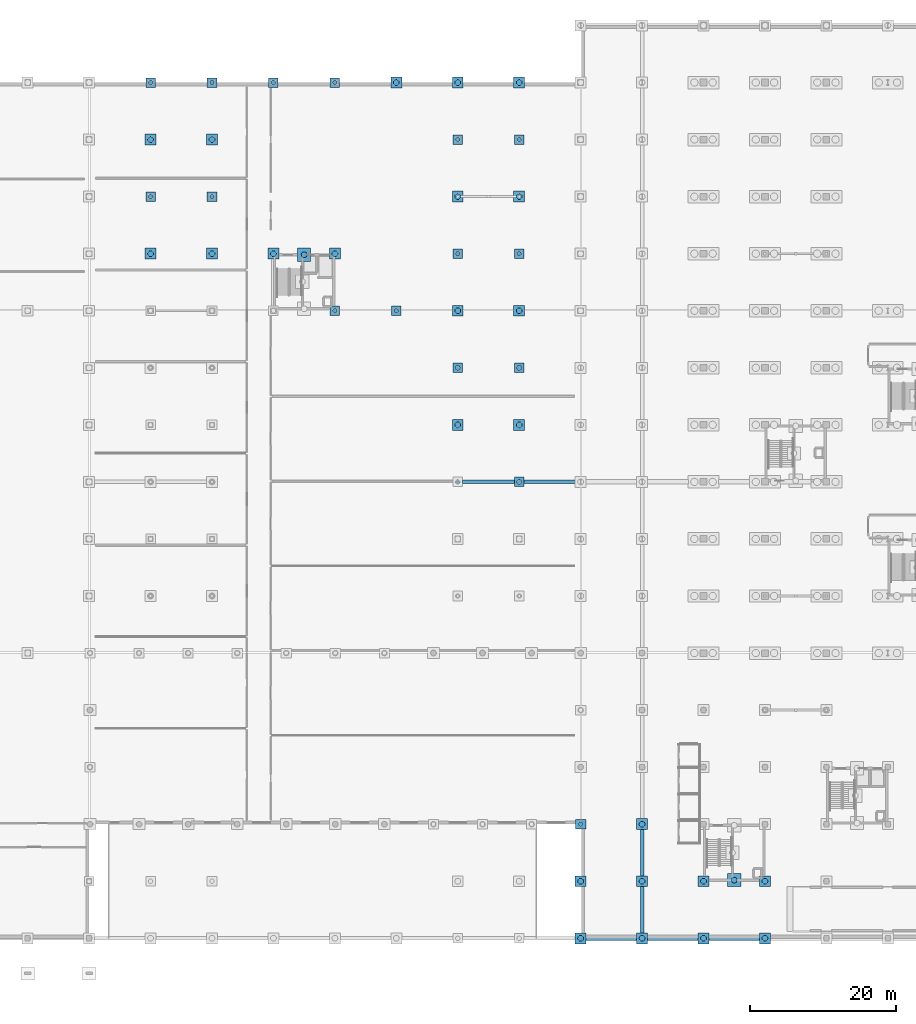
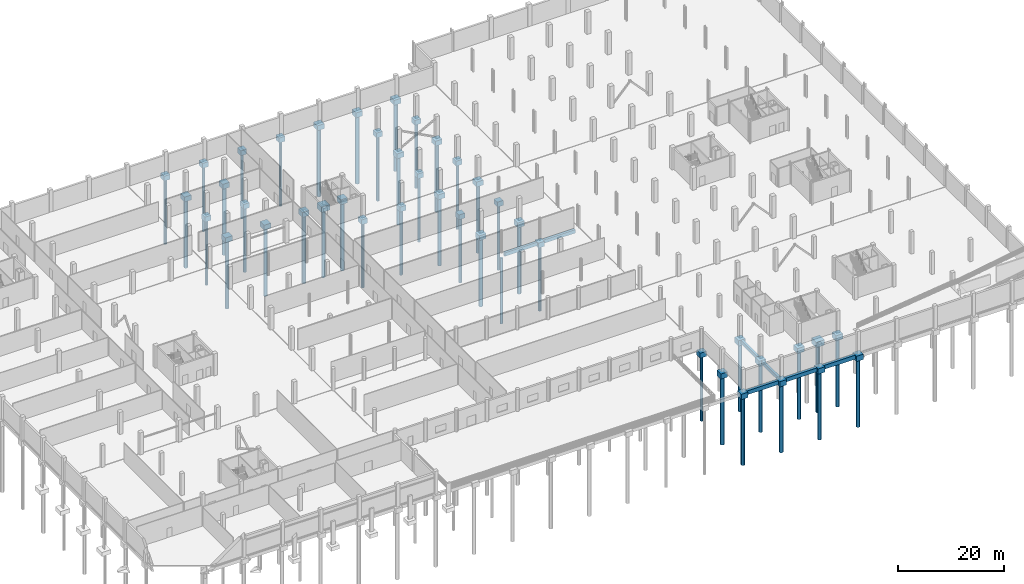
# One storey, part 5 of 48: 49 footings, 43 piles.
"""IFC4 building model written with IfcOpenShell, lengths in metres."""

from ifc_helpers import new_model, si_unit, direction, frame, origin, origin_2d, place, context, subcontext, project, spatial, polyline, rectangle, circle, outline, extrude, material, material_profile, profile_set, type_object, element, save


model = new_model("IFC4")

# Units and contexts
model_context = context("Model", 3, precision=1e-05, world=origin(), true_north=direction((0.0, 1.0)))
body_context = subcontext(model_context, "Body", "Model", "MODEL_VIEW")
ifc_project = project(units=[si_unit("LENGTHUNIT", "METRE"), si_unit("AREAUNIT", "SQUARE_METRE"), si_unit("VOLUMEUNIT", "CUBIC_METRE"), si_unit("PLANEANGLEUNIT", "RADIAN"), si_unit("MASSUNIT", "GRAM", prefix="KILO")], contexts=[model_context])

# Site, building, storey
site_placement = place(None, origin())
site = spatial("IfcSite", under=ifc_project, at=site_placement, CompositionType="ELEMENT")
building_placement = place(site_placement, origin())
building = spatial("IfcBuilding", under=site, at=building_placement, Name="Nabrawat Pavilion Hospital", CompositionType="ELEMENT")
storey_placement = place(building_placement, frame((0.0, 0.0, -5.10009765625)))
storey = spatial("IfcBuildingStorey", under=building, at=storey_placement, Name="B1", CompositionType="ELEMENT", Elevation=-5.10009765625)

# Piles
ifc_material = material(Name="Concrete C35/45", Category="concrete")
ifc_material_profile_1 = material_profile(ifc_material, circle(Radius=0.300048828125, at=origin_2d()), Name="DIA 600")
ifc_profile_set_1 = profile_set([ifc_material_profile_1], Name="Concrete C35/45")
pile_type_1 = type_object("IfcPileType", Name="Bored Concrete Pile D600", PredefinedType="BORED", material=ifc_profile_set_1)
for number, where, z_axis, x_axis, name in (
    (1, (67.199951171875, 101.39990234375, -1.27001953125), (0.0, 0.0, -1.0), (1.0, 0.0, 0.0), "Bored Pile P-600 0098"),
    (2, (67.199951171875, 117.0, -1.27001953125), (0.0, 0.0, -1.0), (1.0, 0.0, 0.0), "Bored Pile P-600 0100"),
    (3, (75.60009765625, 101.39990234375, -1.27001953125), (0.0, 0.0, -1.0), (1.0, 0.0, 0.0), "Bored Pile P-600 0112"),
    (4, (75.60009765625, 117.0, -1.27001953125), (0.0, 0.0, -1.0), (1.0, 0.0, 0.0), "Bored Pile P-600 0114"),
    (5, (84.0, 117.0, -1.27001953125), (0.0, 0.0, -1.0), (1.0, 0.0, 0.0), "Bored Pile P-600 0120"),
    (6, (92.39990234375, 85.800048828125, -1.27001953125), (0.0, 0.0, -1.0), (1.0, 0.0, 0.0), "Bored Pile P-600 0124"),
    (7, (92.39990234375, 117.0, -1.27001953125), (0.0, 0.0, -1.0), (1.0, 0.0, 0.0), "Bored Pile P-600 0126"),
    (8, (100.800048828125, 85.800048828125, -1.27001953125), (0.0, 0.0, -1.0), (1.0, 0.0, 0.0), "Bored Pile P-600 0132"),
    (9, (109.199951171875, 62.39990234375, -1.27001953125), (0.0, 0.0, -1.0), (1.0, 0.0, 0.0), "Bored Pile P-600 0140"),
    (10, (109.199951171875, 78.0, -1.27001953125), (0.0, 0.0, -1.0), (1.0, 0.0, 0.0), "Bored Pile P-600 0142"),
    (11, (109.199951171875, 93.60009765625, -1.27001953125), (0.0, 0.0, -1.0), (1.0, 0.0, 0.0), "Bored Pile P-600 0144"),
    (12, (109.199951171875, 109.199951171875, -1.27001953125), (0.0, 0.0, -1.0), (1.0, 0.0, 0.0), "Bored Pile P-600 0146"),
    (13, (117.60009765625, 62.39990234375, -1.27001953125), (0.0, 0.0, -1.0), (1.0, 0.0, 0.0), "Bored Pile P-600 0154"),
    (14, (117.60009765625, 78.0, -1.27001953125), (0.0, 0.0, -1.0), (1.0, 0.0, 0.0), "Bored Pile P-600 0156"),
    (15, (117.60009765625, 93.60009765625, -1.27001953125), (0.0, 0.0, -1.0), (1.0, 0.0, 0.0), "Bored Pile P-600 0158"),
    (16, (117.60009765625, 109.199951171875, -1.27001953125), (0.0, 0.0, -1.0), (1.0, 0.0, 0.0), "Bored Pile P-600 0160"),
):
    element("IfcPile", number, at=place(storey_placement, frame(where, z_axis=z_axis, x_axis=x_axis)), inside=storey, type_object=pile_type_1, Name=name, PredefinedType="BORED", context=body_context, shape_type="SweptSolid", body=[
        extrude(circle(Radius=0.300048828125, at=origin_2d()), origin(), (0.0, 0.0, 1.0), 15.1298828125),
    ])
pile_placement = place(storey_placement, frame((126.0, 15.60009765625, -1.2998046875), z_axis=(0.0, 0.0, -1.0), x_axis=(1.0, 0.0, 0.0)))
element("IfcPile", 17, at=pile_placement, inside=storey, type_object=pile_type_1, Name="Bored Pile P-600 0166", PredefinedType="BORED", context=body_context, shape_type="SweptSolid", body=[
    extrude(circle(Radius=0.300048828125, at=origin_2d()), origin(), (0.0, 0.0, 1.0), 15.10009765625),
])
ifc_material_profile_2 = material_profile(ifc_material, circle(Radius=0.39990234375, at=origin_2d()), Name="DIA 800")
ifc_profile_set_2 = profile_set([ifc_material_profile_2], Name="Concrete C35/45")
pile_type_2 = type_object("IfcPileType", Name="Bored Concrete Pile D800", PredefinedType="BORED", material=ifc_profile_set_2)
for number, where, z_axis, x_axis, name in (
    (18, (67.199951171875, 93.60009765625, -1.27001953125), (0.0, 0.0, -1.0), (1.0, 0.0, 0.0), "Bored Pile P-800 0097"),
    (19, (67.199951171875, 109.199951171875, -1.27001953125), (0.0, 0.0, -1.0), (1.0, 0.0, 0.0), "Bored Pile P-800 0099"),
    (20, (75.60009765625, 93.60009765625, -1.27001953125), (0.0, 0.0, -1.0), (1.0, 0.0, 0.0), "Bored Pile P-800 0111"),
    (21, (75.60009765625, 109.199951171875, -1.27001953125), (0.0, 0.0, -1.0), (1.0, 0.0, 0.0), "Bored Pile P-800 0113"),
    (22, (84.0, 93.60009765625, -1.27001953125), (0.0, 0.0, -1.0), (1.0, 0.0, 0.0), "Bored Pile P-800 0119"),
    (23, (92.39990234375, 93.60009765625, -1.27001953125), (0.0, 0.0, -1.0), (1.0, 0.0, 0.0), "Bored Pile P-800 0125"),
    (24, (100.800048828125, 117.0, -1.27001953125), (0.0, 0.0, -1.0), (1.0, 0.0, 0.0), "Bored Pile P-800 0133"),
    (25, (109.199951171875, 70.199951171875, -1.27001953125), (0.0, 0.0, -1.0), (1.0, 0.0, 0.0), "Bored Pile P-800 0141"),
    (26, (109.199951171875, 85.800048828125, -1.27001953125), (0.0, 0.0, -1.0), (1.0, 0.0, 0.0), "Bored Pile P-800 0143"),
    (27, (109.199951171875, 101.39990234375, -1.27001953125), (0.0, 0.0, -1.0), (1.0, 0.0, 0.0), "Bored Pile P-800 0145"),
    (28, (109.199951171875, 117.0, -1.27001953125), (0.0, 0.0, -1.0), (1.0, 0.0, 0.0), "Bored Pile P-800 0147"),
    (29, (117.60009765625, 70.199951171875, -1.27001953125), (0.0, 0.0, -1.0), (1.0, 0.0, 0.0), "Bored Pile P-800 0155"),
    (30, (117.60009765625, 85.800048828125, -1.27001953125), (0.0, 0.0, -1.0), (1.0, 0.0, 0.0), "Bored Pile P-800 0157"),
    (31, (117.60009765625, 101.39990234375, -1.27001953125), (0.0, 0.0, -1.0), (1.0, 0.0, 0.0), "Bored Pile P-800 0159"),
    (32, (117.60009765625, 117.0, -1.27001953125), (0.0, 0.0, -1.0), (1.0, 0.0, 0.0), "Bored Pile P-800 0161"),
):
    element("IfcPile", number, at=place(storey_placement, frame(where, z_axis=z_axis, x_axis=x_axis)), inside=storey, type_object=pile_type_2, Name=name, PredefinedType="BORED", context=body_context, shape_type="SweptSolid", body=[
        extrude(circle(Radius=0.39990234375, at=origin_2d()), origin(), (0.0, 0.0, 1.0), 15.830078125),
    ])
for number, where, z_axis, x_axis, name in (
    (33, (126.0, 0.0, -1.33984375), (0.0, 0.0, -1.0), (1.0, 0.0, 0.0), "Bored Pile P-800 0164"),
    (34, (126.0, 7.800048828125, -1.33984375), (0.0, 0.0, -1.0), (1.0, 0.0, 0.0), "Bored Pile P-800 0165"),
    (35, (134.39990234375, 0.0, -1.33984375), (0.0, 0.0, -1.0), (1.0, 0.0, 0.0), "Bored Pile P-800 0181"),
    (36, (134.39990234375, 7.800048828125, -1.33984375), (0.0, 0.0, -1.0), (1.0, 0.0, 0.0), "Bored Pile P-800 0182"),
    (37, (134.39990234375, 15.60009765625, -1.33984375), (0.0, 0.0, -1.0), (1.0, 0.0, 0.0), "Bored Pile P-800 0183"),
    (38, (142.800048828125, 0.0, -1.33984375), (0.0, 0.0, -1.0), (1.0, 0.0, 0.0), "Bored Pile P-800 0198"),
    (39, (142.800048828125, 7.800048828125, -1.33984375), (0.0, 0.0, -1.0), (1.0, 0.0, 0.0), "Bored Pile P-800 0199"),
    (40, (151.199951171875, 0.0, -1.33984375), (0.0, 0.0, -1.0), (1.0, 0.0, 0.0), "Bored Pile P-800 0226"),
    (41, (151.199951171875, 7.800048828125, -1.33984375), (0.0, 0.0, -1.0), (1.0, 0.0, 0.0), "Bored Pile P-800 0227"),
):
    element("IfcPile", number, at=place(storey_placement, frame(where, z_axis=z_axis, x_axis=x_axis)), inside=storey, type_object=pile_type_2, Name=name, PredefinedType="BORED", context=body_context, shape_type="SweptSolid", body=[
        extrude(circle(Radius=0.39990234375, at=origin_2d()), origin(), (0.0, 0.0, 1.0), 15.760009765625),
    ])
for number, where, z_axis, x_axis, name in (
    (42, (88.199951171875, 93.449951171875, -1.369873046875), (0.0, 0.0, -1.0), (1.0, 0.0, 0.0), "Bored Pile P-800 0382"),
    (43, (147.0, 7.949951171875, -1.369873046875), (0.0, 0.0, -1.0), (1.0, 0.0, 0.0), "Bored Pile P-800 0396"),
):
    element("IfcPile", number, at=place(storey_placement, frame(where, z_axis=z_axis, x_axis=x_axis)), inside=storey, type_object=pile_type_2, Name=name, PredefinedType="BORED", context=body_context, shape_type="SweptSolid", body=[
        extrude(circle(Radius=0.39990234375, at=origin_2d()), origin(), (0.0, 0.0, 1.0), 15.72998046875),
    ])

# Footings
ifc_material_profile_3 = material_profile(ifc_material, rectangle(XDim=0.5, YDim=0.800048828125, at=origin_2d()), Name="RC 500x800")
ifc_profile_set_3 = profile_set([ifc_material_profile_3], Name="Concrete C35/45")
footing_type_1 = type_object("IfcFootingType", Name="Concrete Ground Tie Beam 500x800", PredefinedType="FOOTING_BEAM", material=ifc_profile_set_3)
footing_1_placement = place(storey_placement, frame((109.830078125, 62.39990234375, -0.619873046875), z_axis=(1.0, 0.0, 0.0), x_axis=(0.0, 1.0, 0.0)))
element("IfcFooting", 44, at=footing_1_placement, inside=storey, type_object=footing_type_1, Name="B1 Ground Tie Beam X 027", PredefinedType="FOOTING_BEAM", context=body_context, shape_type="SweptSolid", body=[
    extrude(rectangle(XDim=0.5, YDim=0.800048828125, at=origin_2d()), origin(), (0.0, 0.0, 1.0), 7.139892578125),
])
footing_2_placement = place(storey_placement, frame((118.22998046875, 62.39990234375, -0.619873046875), z_axis=(1.0, 0.0, 0.0), x_axis=(0.0, 1.0, 0.0)))
element("IfcFooting", 45, at=footing_2_placement, inside=storey, type_object=footing_type_1, Name="B1 Ground Tie Beam X 028", PredefinedType="FOOTING_BEAM", context=body_context, shape_type="SweptSolid", body=[
    extrude(rectangle(XDim=0.5, YDim=0.800048828125, at=origin_2d()), origin(), (0.0, 0.0, 1.0), 7.0400390625),
])
for number, where, z_axis, x_axis, name in (
    (46, (134.39990234375, 0.72998046875, -0.619873046875), (0.0, 1.0, 0.0), (-1.0, 0.0, 0.0), "B1 Ground Tie Beam Y 059"),
    (47, (134.39990234375, 8.530029296875, -0.619873046875), (0.0, 1.0, 0.0), (-1.0, 0.0, 0.0), "B1 Ground Tie Beam Y 060"),
):
    element("IfcFooting", number, at=place(storey_placement, frame(where, z_axis=z_axis, x_axis=x_axis)), inside=storey, type_object=footing_type_1, Name=name, PredefinedType="FOOTING_BEAM", context=body_context, shape_type="SweptSolid", body=[
        extrude(rectangle(XDim=0.5, YDim=0.800048828125, at=origin_2d()), origin(), (0.0, 0.0, 1.0), 6.340087890625),
    ])
ifc_material_profile_4 = material_profile(ifc_material, rectangle(XDim=0.60009765625, YDim=0.89990234375, at=origin_2d()), Name="RC 600x900")
ifc_profile_set_4 = profile_set([ifc_material_profile_4], Name="Concrete C35/45")
footing_type_2 = type_object("IfcFootingType", Name="Concrete Ground Tie Beam 600x900", PredefinedType="FOOTING_BEAM", material=ifc_profile_set_4)
footing_3_placement = place(storey_placement, frame((126.72998046875, 0.0, -0.669921875), z_axis=(1.0, 0.0, 0.0), x_axis=(0.0, 1.0, 0.0)))
element("IfcFooting", 48, at=footing_3_placement, inside=storey, type_object=footing_type_2, Name="B1 Ground Tie Beam X 016", PredefinedType="FOOTING_BEAM", context=body_context, shape_type="SweptSolid", body=[
    extrude(rectangle(XDim=0.60009765625, YDim=0.89990234375, at=origin_2d()), origin(), (0.0, 0.0, 1.0), 6.93994140625),
])
footing_4_placement = place(storey_placement, frame((135.1298828125, 0.0, -0.669921875), z_axis=(1.0, 0.0, 0.0), x_axis=(0.0, 1.0, 0.0)))
element("IfcFooting", 49, at=footing_4_placement, inside=storey, type_object=footing_type_2, Name="B1 Ground Tie Beam X 017", PredefinedType="FOOTING_BEAM", context=body_context, shape_type="SweptSolid", body=[
    extrude(rectangle(XDim=0.60009765625, YDim=0.89990234375, at=origin_2d()), origin(), (0.0, 0.0, 1.0), 6.940185546875),
])
footing_5_placement = place(storey_placement, frame((143.530029296875, 0.0, -0.669921875), z_axis=(1.0, 0.0, 0.0), x_axis=(0.0, 1.0, 0.0)))
element("IfcFooting", 50, at=footing_5_placement, inside=storey, type_object=footing_type_2, Name="B1 Ground Tie Beam X 018", PredefinedType="FOOTING_BEAM", context=body_context, shape_type="SweptSolid", body=[
    extrude(rectangle(XDim=0.60009765625, YDim=0.89990234375, at=origin_2d()), origin(), (0.0, 0.0, 1.0), 6.93994140625),
])
footing_type_3 = type_object("IfcFootingType", Name="Reinforced Concrete Pile Cap 1300x1300x1150", PredefinedType="PILE_CAP", material=ifc_material)
footing_6_placement = place(storey_placement, frame((0.0, 0.0, -1.369873046875)))
element("IfcFooting", 51, at=footing_6_placement, inside=storey, type_object=footing_type_3, Name="B1 Combined Pile Cap CAP-098", PredefinedType="PILE_CAP", context=body_context, shape_type="SweptSolid", body=[
    extrude(outline(polyline([(67.85009765625, 100.75), (67.85009765625, 102.050048828125), (66.550048828125, 102.050048828125), (66.550048828125, 100.75), (67.85009765625, 100.75)])), origin(), (0.0, 0.0, 1.0), 1.14990234375),
])
footing_7_placement = place(storey_placement, frame((0.0, 0.0, -1.369873046875)))
element("IfcFooting", 52, at=footing_7_placement, inside=storey, type_object=footing_type_3, Name="B1 Combined Pile Cap CAP-100", PredefinedType="PILE_CAP", context=body_context, shape_type="SweptSolid", body=[
    extrude(outline(polyline([(67.85009765625, 116.35009765625), (67.85009765625, 117.64990234375), (66.550048828125, 117.64990234375), (66.550048828125, 116.35009765625), (67.85009765625, 116.35009765625)])), origin(), (0.0, 0.0, 1.0), 1.14990234375),
])
footing_8_placement = place(storey_placement, frame((0.0, 0.0, -1.369873046875)))
element("IfcFooting", 53, at=footing_8_placement, inside=storey, type_object=footing_type_3, Name="B1 Combined Pile Cap CAP-112", PredefinedType="PILE_CAP", context=body_context, shape_type="SweptSolid", body=[
    extrude(outline(polyline([(76.25, 100.75), (76.25, 102.050048828125), (74.949951171875, 102.050048828125), (74.949951171875, 100.75), (76.25, 100.75)])), origin(), (0.0, 0.0, 1.0), 1.14990234375),
])
footing_9_placement = place(storey_placement, frame((0.0, 0.0, -1.369873046875)))
element("IfcFooting", 54, at=footing_9_placement, inside=storey, type_object=footing_type_3, Name="B1 Combined Pile Cap CAP-114", PredefinedType="PILE_CAP", context=body_context, shape_type="SweptSolid", body=[
    extrude(outline(polyline([(76.25, 116.35009765625), (76.25, 117.64990234375), (74.949951171875, 117.64990234375), (74.949951171875, 116.35009765625), (76.25, 116.35009765625)])), origin(), (0.0, 0.0, 1.0), 1.14990234375),
])
footing_10_placement = place(storey_placement, frame((0.0, 0.0, -1.369873046875)))
element("IfcFooting", 55, at=footing_10_placement, inside=storey, type_object=footing_type_3, Name="B1 Combined Pile Cap CAP-120", PredefinedType="PILE_CAP", context=body_context, shape_type="SweptSolid", body=[
    extrude(outline(polyline([(84.64990234375, 116.35009765625), (84.64990234375, 117.64990234375), (83.35009765625, 117.64990234375), (83.35009765625, 116.35009765625), (84.64990234375, 116.35009765625)])), origin(), (0.0, 0.0, 1.0), 1.14990234375),
])
footing_11_placement = place(storey_placement, frame((0.0, 0.0, -1.369873046875)))
element("IfcFooting", 56, at=footing_11_placement, inside=storey, type_object=footing_type_3, Name="B1 Combined Pile Cap CAP-124", PredefinedType="PILE_CAP", context=body_context, shape_type="SweptSolid", body=[
    extrude(outline(polyline([(93.050048828125, 85.14990234375), (93.050048828125, 86.449951171875), (91.75, 86.449951171875), (91.75, 85.14990234375), (93.050048828125, 85.14990234375)])), origin(), (0.0, 0.0, 1.0), 1.14990234375),
])
footing_12_placement = place(storey_placement, frame((0.0, 0.0, -1.369873046875)))
element("IfcFooting", 57, at=footing_12_placement, inside=storey, type_object=footing_type_3, Name="B1 Combined Pile Cap CAP-126", PredefinedType="PILE_CAP", context=body_context, shape_type="SweptSolid", body=[
    extrude(outline(polyline([(93.050048828125, 116.35009765625), (93.050048828125, 117.64990234375), (91.75, 117.64990234375), (91.75, 116.35009765625), (93.050048828125, 116.35009765625)])), origin(), (0.0, 0.0, 1.0), 1.14990234375),
])
footing_13_placement = place(storey_placement, frame((0.0, 0.0, -1.369873046875)))
element("IfcFooting", 58, at=footing_13_placement, inside=storey, type_object=footing_type_3, Name="B1 Combined Pile Cap CAP-132", PredefinedType="PILE_CAP", context=body_context, shape_type="SweptSolid", body=[
    extrude(outline(polyline([(101.449951171875, 85.14990234375), (101.449951171875, 86.449951171875), (100.14990234375, 86.449951171875), (100.14990234375, 85.14990234375), (101.449951171875, 85.14990234375)])), origin(), (0.0, 0.0, 1.0), 1.14990234375),
])
footing_14_placement = place(storey_placement, frame((0.0, 0.0, -1.369873046875)))
element("IfcFooting", 59, at=footing_14_placement, inside=storey, type_object=footing_type_3, Name="B1 Combined Pile Cap CAP-142", PredefinedType="PILE_CAP", context=body_context, shape_type="SweptSolid", body=[
    extrude(outline(polyline([(109.85009765625, 77.35009765625), (109.85009765625, 78.64990234375), (108.550048828125, 78.64990234375), (108.550048828125, 77.35009765625), (109.85009765625, 77.35009765625)])), origin(), (0.0, 0.0, 1.0), 1.14990234375),
])
footing_15_placement = place(storey_placement, frame((0.0, 0.0, -1.369873046875)))
element("IfcFooting", 60, at=footing_15_placement, inside=storey, type_object=footing_type_3, Name="B1 Combined Pile Cap CAP-144", PredefinedType="PILE_CAP", context=body_context, shape_type="SweptSolid", body=[
    extrude(outline(polyline([(109.85009765625, 92.949951171875), (109.85009765625, 94.25), (108.550048828125, 94.25), (108.550048828125, 92.949951171875), (109.85009765625, 92.949951171875)])), origin(), (0.0, 0.0, 1.0), 1.14990234375),
])
footing_16_placement = place(storey_placement, frame((0.0, 0.0, -1.369873046875)))
element("IfcFooting", 61, at=footing_16_placement, inside=storey, type_object=footing_type_3, Name="B1 Combined Pile Cap CAP-146", PredefinedType="PILE_CAP", context=body_context, shape_type="SweptSolid", body=[
    extrude(outline(polyline([(109.85009765625, 108.550048828125), (109.85009765625, 109.85009765625), (108.550048828125, 109.85009765625), (108.550048828125, 108.550048828125), (109.85009765625, 108.550048828125)])), origin(), (0.0, 0.0, 1.0), 1.14990234375),
])
footing_17_placement = place(storey_placement, frame((0.0, 0.0, -1.369873046875)))
element("IfcFooting", 62, at=footing_17_placement, inside=storey, type_object=footing_type_3, Name="B1 Combined Pile Cap CAP-154", PredefinedType="PILE_CAP", context=body_context, shape_type="SweptSolid", body=[
    extrude(outline(polyline([(118.25, 61.75), (118.25, 63.050048828125), (116.949951171875, 63.050048828125), (116.949951171875, 61.75), (118.25, 61.75)])), origin(), (0.0, 0.0, 1.0), 1.14990234375),
])
footing_18_placement = place(storey_placement, frame((0.0, 0.0, -1.369873046875)))
element("IfcFooting", 63, at=footing_18_placement, inside=storey, type_object=footing_type_3, Name="B1 Combined Pile Cap CAP-156", PredefinedType="PILE_CAP", context=body_context, shape_type="SweptSolid", body=[
    extrude(outline(polyline([(118.25, 77.35009765625), (118.25, 78.64990234375), (116.949951171875, 78.64990234375), (116.949951171875, 77.35009765625), (118.25, 77.35009765625)])), origin(), (0.0, 0.0, 1.0), 1.14990234375),
])
footing_19_placement = place(storey_placement, frame((0.0, 0.0, -1.369873046875)))
element("IfcFooting", 64, at=footing_19_placement, inside=storey, type_object=footing_type_3, Name="B1 Combined Pile Cap CAP-158", PredefinedType="PILE_CAP", context=body_context, shape_type="SweptSolid", body=[
    extrude(outline(polyline([(118.25, 92.949951171875), (118.25, 94.25), (116.949951171875, 94.25), (116.949951171875, 92.949951171875), (118.25, 92.949951171875)])), origin(), (0.0, 0.0, 1.0), 1.14990234375),
])
footing_20_placement = place(storey_placement, frame((0.0, 0.0, -1.369873046875)))
element("IfcFooting", 65, at=footing_20_placement, inside=storey, type_object=footing_type_3, Name="B1 Combined Pile Cap CAP-160", PredefinedType="PILE_CAP", context=body_context, shape_type="SweptSolid", body=[
    extrude(outline(polyline([(118.25, 108.550048828125), (118.25, 109.85009765625), (116.949951171875, 109.85009765625), (116.949951171875, 108.550048828125), (118.25, 108.550048828125)])), origin(), (0.0, 0.0, 1.0), 1.14990234375),
])
footing_type_4 = type_object("IfcFootingType", Name="Reinforced Concrete Pile Cap 1300x1400x1180", PredefinedType="PILE_CAP", material=ifc_material)
footing_21_placement = place(storey_placement, frame((0.0, 0.0, -1.39990234375)))
element("IfcFooting", 66, at=footing_21_placement, inside=storey, type_object=footing_type_4, Name="B1 Combined Pile Cap CAP-166", PredefinedType="PILE_CAP", context=body_context, shape_type="SweptSolid", body=[
    extrude(outline(polyline([(126.699951171875, 14.949951171875), (126.699951171875, 16.25), (125.300048828125, 16.25), (125.300048828125, 14.949951171875), (126.699951171875, 14.949951171875)])), origin(), (0.0, 0.0, 1.0), 1.179931640625),
])
footing_type_5 = type_object("IfcFootingType", Name="Reinforced Concrete Pile Cap 1500x1500x1150", PredefinedType="PILE_CAP", material=ifc_material)
footing_22_placement = place(storey_placement, frame((0.0, 0.0, -1.369873046875)))
element("IfcFooting", 67, at=footing_22_placement, inside=storey, type_object=footing_type_5, Name="B1 Combined Pile Cap CAP-097", PredefinedType="PILE_CAP", context=body_context, shape_type="SweptSolid", body=[
    extrude(outline(polyline([(67.949951171875, 92.85009765625), (67.949951171875, 94.35009765625), (66.449951171875, 94.35009765625), (66.449951171875, 92.85009765625), (67.949951171875, 92.85009765625)])), origin(), (0.0, 0.0, 1.0), 1.14990234375),
])
footing_23_placement = place(storey_placement, frame((0.0, 0.0, -1.369873046875)))
element("IfcFooting", 68, at=footing_23_placement, inside=storey, type_object=footing_type_5, Name="B1 Combined Pile Cap CAP-099", PredefinedType="PILE_CAP", context=body_context, shape_type="SweptSolid", body=[
    extrude(outline(polyline([(67.949951171875, 108.449951171875), (67.949951171875, 109.949951171875), (66.449951171875, 109.949951171875), (66.449951171875, 108.449951171875), (67.949951171875, 108.449951171875)])), origin(), (0.0, 0.0, 1.0), 1.14990234375),
])
footing_24_placement = place(storey_placement, frame((0.0, 0.0, -1.369873046875)))
element("IfcFooting", 69, at=footing_24_placement, inside=storey, type_object=footing_type_5, Name="B1 Combined Pile Cap CAP-111", PredefinedType="PILE_CAP", context=body_context, shape_type="SweptSolid", body=[
    extrude(outline(polyline([(76.35009765625, 92.85009765625), (76.35009765625, 94.35009765625), (74.85009765625, 94.35009765625), (74.85009765625, 92.85009765625), (76.35009765625, 92.85009765625)])), origin(), (0.0, 0.0, 1.0), 1.14990234375),
])
footing_25_placement = place(storey_placement, frame((0.0, 0.0, -1.369873046875)))
element("IfcFooting", 70, at=footing_25_placement, inside=storey, type_object=footing_type_5, Name="B1 Combined Pile Cap CAP-113", PredefinedType="PILE_CAP", context=body_context, shape_type="SweptSolid", body=[
    extrude(outline(polyline([(76.35009765625, 108.449951171875), (76.35009765625, 109.949951171875), (74.85009765625, 109.949951171875), (74.85009765625, 108.449951171875), (76.35009765625, 108.449951171875)])), origin(), (0.0, 0.0, 1.0), 1.14990234375),
])
footing_26_placement = place(storey_placement, frame((0.0, 0.0, -1.369873046875)))
element("IfcFooting", 71, at=footing_26_placement, inside=storey, type_object=footing_type_5, Name="B1 Combined Pile Cap CAP-119", PredefinedType="PILE_CAP", context=body_context, shape_type="SweptSolid", body=[
    extrude(outline(polyline([(84.75, 92.85009765625), (84.75, 94.35009765625), (83.25, 94.35009765625), (83.25, 92.85009765625), (84.75, 92.85009765625)])), origin(), (0.0, 0.0, 1.0), 1.14990234375),
])
footing_27_placement = place(storey_placement, frame((0.0, 0.0, -1.369873046875)))
element("IfcFooting", 72, at=footing_27_placement, inside=storey, type_object=footing_type_5, Name="B1 Combined Pile Cap CAP-125", PredefinedType="PILE_CAP", context=body_context, shape_type="SweptSolid", body=[
    extrude(outline(polyline([(93.14990234375, 92.85009765625), (93.14990234375, 94.35009765625), (91.64990234375, 94.35009765625), (91.64990234375, 92.85009765625), (93.14990234375, 92.85009765625)])), origin(), (0.0, 0.0, 1.0), 1.14990234375),
])
footing_28_placement = place(storey_placement, frame((0.0, 0.0, -1.369873046875)))
element("IfcFooting", 73, at=footing_28_placement, inside=storey, type_object=footing_type_5, Name="B1 Combined Pile Cap CAP-133", PredefinedType="PILE_CAP", context=body_context, shape_type="SweptSolid", body=[
    extrude(outline(polyline([(101.550048828125, 116.25), (101.550048828125, 117.75), (100.050048828125, 117.75), (100.050048828125, 116.25), (101.550048828125, 116.25)])), origin(), (0.0, 0.0, 1.0), 1.14990234375),
])
footing_29_placement = place(storey_placement, frame((0.0, 0.0, -1.369873046875)))
element("IfcFooting", 74, at=footing_29_placement, inside=storey, type_object=footing_type_5, Name="B1 Combined Pile Cap CAP-141", PredefinedType="PILE_CAP", context=body_context, shape_type="SweptSolid", body=[
    extrude(outline(polyline([(109.949951171875, 69.449951171875), (109.949951171875, 70.949951171875), (108.449951171875, 70.949951171875), (108.449951171875, 69.449951171875), (109.949951171875, 69.449951171875)])), origin(), (0.0, 0.0, 1.0), 1.14990234375),
])
footing_30_placement = place(storey_placement, frame((0.0, 0.0, -1.369873046875)))
element("IfcFooting", 75, at=footing_30_placement, inside=storey, type_object=footing_type_5, Name="B1 Combined Pile Cap CAP-143", PredefinedType="PILE_CAP", context=body_context, shape_type="SweptSolid", body=[
    extrude(outline(polyline([(109.949951171875, 85.050048828125), (109.949951171875, 86.550048828125), (108.449951171875, 86.550048828125), (108.449951171875, 85.050048828125), (109.949951171875, 85.050048828125)])), origin(), (0.0, 0.0, 1.0), 1.14990234375),
])
footing_31_placement = place(storey_placement, frame((0.0, 0.0, -1.369873046875)))
element("IfcFooting", 76, at=footing_31_placement, inside=storey, type_object=footing_type_5, Name="B1 Combined Pile Cap CAP-145", PredefinedType="PILE_CAP", context=body_context, shape_type="SweptSolid", body=[
    extrude(outline(polyline([(109.949951171875, 100.64990234375), (109.949951171875, 102.14990234375), (108.449951171875, 102.14990234375), (108.449951171875, 100.64990234375), (109.949951171875, 100.64990234375)])), origin(), (0.0, 0.0, 1.0), 1.14990234375),
])
footing_32_placement = place(storey_placement, frame((0.0, 0.0, -1.369873046875)))
element("IfcFooting", 77, at=footing_32_placement, inside=storey, type_object=footing_type_5, Name="B1 Combined Pile Cap CAP-147", PredefinedType="PILE_CAP", context=body_context, shape_type="SweptSolid", body=[
    extrude(outline(polyline([(109.949951171875, 116.25), (109.949951171875, 117.75), (108.449951171875, 117.75), (108.449951171875, 116.25), (109.949951171875, 116.25)])), origin(), (0.0, 0.0, 1.0), 1.14990234375),
])
footing_33_placement = place(storey_placement, frame((0.0, 0.0, -1.369873046875)))
element("IfcFooting", 78, at=footing_33_placement, inside=storey, type_object=footing_type_5, Name="B1 Combined Pile Cap CAP-155", PredefinedType="PILE_CAP", context=body_context, shape_type="SweptSolid", body=[
    extrude(outline(polyline([(118.35009765625, 69.449951171875), (118.35009765625, 70.949951171875), (116.85009765625, 70.949951171875), (116.85009765625, 69.449951171875), (118.35009765625, 69.449951171875)])), origin(), (0.0, 0.0, 1.0), 1.14990234375),
])
footing_34_placement = place(storey_placement, frame((0.0, 0.0, -1.369873046875)))
element("IfcFooting", 79, at=footing_34_placement, inside=storey, type_object=footing_type_5, Name="B1 Combined Pile Cap CAP-157", PredefinedType="PILE_CAP", context=body_context, shape_type="SweptSolid", body=[
    extrude(outline(polyline([(118.35009765625, 85.050048828125), (118.35009765625, 86.550048828125), (116.85009765625, 86.550048828125), (116.85009765625, 85.050048828125), (118.35009765625, 85.050048828125)])), origin(), (0.0, 0.0, 1.0), 1.14990234375),
])
footing_35_placement = place(storey_placement, frame((0.0, 0.0, -1.369873046875)))
element("IfcFooting", 80, at=footing_35_placement, inside=storey, type_object=footing_type_5, Name="B1 Combined Pile Cap CAP-159", PredefinedType="PILE_CAP", context=body_context, shape_type="SweptSolid", body=[
    extrude(outline(polyline([(118.35009765625, 100.64990234375), (118.35009765625, 102.14990234375), (116.85009765625, 102.14990234375), (116.85009765625, 100.64990234375), (118.35009765625, 100.64990234375)])), origin(), (0.0, 0.0, 1.0), 1.14990234375),
])
footing_36_placement = place(storey_placement, frame((0.0, 0.0, -1.369873046875)))
element("IfcFooting", 81, at=footing_36_placement, inside=storey, type_object=footing_type_5, Name="B1 Combined Pile Cap CAP-161", PredefinedType="PILE_CAP", context=body_context, shape_type="SweptSolid", body=[
    extrude(outline(polyline([(118.35009765625, 116.25), (118.35009765625, 117.75), (116.85009765625, 117.75), (116.85009765625, 116.25), (118.35009765625, 116.25)])), origin(), (0.0, 0.0, 1.0), 1.14990234375),
])
footing_type_6 = type_object("IfcFootingType", Name="Reinforced Concrete Pile Cap 1500x1500x1220", PredefinedType="PILE_CAP", material=ifc_material)
footing_37_placement = place(storey_placement, frame((0.0, 0.0, -1.43994140625)))
element("IfcFooting", 82, at=footing_37_placement, inside=storey, type_object=footing_type_6, Name="B1 Combined Pile Cap CAP-164", PredefinedType="PILE_CAP", context=body_context, shape_type="SweptSolid", body=[
    extrude(outline(polyline([(126.75, -0.75), (126.75, 0.75), (125.25, 0.75), (125.25, -0.75), (126.75, -0.75)])), origin(), (0.0, 0.0, 1.0), 1.219970703125),
])
footing_38_placement = place(storey_placement, frame((0.0, 0.0, -1.43994140625)))
element("IfcFooting", 83, at=footing_38_placement, inside=storey, type_object=footing_type_6, Name="B1 Combined Pile Cap CAP-165", PredefinedType="PILE_CAP", context=body_context, shape_type="SweptSolid", body=[
    extrude(outline(polyline([(126.75, 7.050048828125), (126.75, 8.550048828125), (125.25, 8.550048828125), (125.25, 7.050048828125), (126.75, 7.050048828125)])), origin(), (0.0, 0.0, 1.0), 1.219970703125),
])
footing_39_placement = place(storey_placement, frame((0.0, 0.0, -1.43994140625)))
element("IfcFooting", 84, at=footing_39_placement, inside=storey, type_object=footing_type_6, Name="B1 Combined Pile Cap CAP-181", PredefinedType="PILE_CAP", context=body_context, shape_type="SweptSolid", body=[
    extrude(outline(polyline([(135.14990234375, -0.75), (135.14990234375, 0.75), (133.64990234375, 0.75), (133.64990234375, -0.75), (135.14990234375, -0.75)])), origin(), (0.0, 0.0, 1.0), 1.219970703125),
])
footing_40_placement = place(storey_placement, frame((0.0, 0.0, -1.43994140625)))
element("IfcFooting", 85, at=footing_40_placement, inside=storey, type_object=footing_type_6, Name="B1 Combined Pile Cap CAP-182", PredefinedType="PILE_CAP", context=body_context, shape_type="SweptSolid", body=[
    extrude(outline(polyline([(135.14990234375, 7.050048828125), (135.14990234375, 8.550048828125), (133.64990234375, 8.550048828125), (133.64990234375, 7.050048828125), (135.14990234375, 7.050048828125)])), origin(), (0.0, 0.0, 1.0), 1.219970703125),
])
footing_41_placement = place(storey_placement, frame((0.0, 0.0, -1.43994140625)))
element("IfcFooting", 86, at=footing_41_placement, inside=storey, type_object=footing_type_6, Name="B1 Combined Pile Cap CAP-183", PredefinedType="PILE_CAP", context=body_context, shape_type="SweptSolid", body=[
    extrude(outline(polyline([(135.14990234375, 14.85009765625), (135.14990234375, 16.35009765625), (133.64990234375, 16.35009765625), (133.64990234375, 14.85009765625), (135.14990234375, 14.85009765625)])), origin(), (0.0, 0.0, 1.0), 1.219970703125),
])
footing_42_placement = place(storey_placement, frame((0.0, 0.0, -1.43994140625)))
element("IfcFooting", 87, at=footing_42_placement, inside=storey, type_object=footing_type_6, Name="B1 Combined Pile Cap CAP-198", PredefinedType="PILE_CAP", context=body_context, shape_type="SweptSolid", body=[
    extrude(outline(polyline([(143.550048828125, -0.75), (143.550048828125, 0.75), (142.050048828125, 0.75), (142.050048828125, -0.75), (143.550048828125, -0.75)])), origin(), (0.0, 0.0, 1.0), 1.219970703125),
])
footing_43_placement = place(storey_placement, frame((0.0, 0.0, -1.43994140625)))
element("IfcFooting", 88, at=footing_43_placement, inside=storey, type_object=footing_type_6, Name="B1 Combined Pile Cap CAP-199", PredefinedType="PILE_CAP", context=body_context, shape_type="SweptSolid", body=[
    extrude(outline(polyline([(143.550048828125, 7.050048828125), (143.550048828125, 8.550048828125), (142.050048828125, 8.550048828125), (142.050048828125, 7.050048828125), (143.550048828125, 7.050048828125)])), origin(), (0.0, 0.0, 1.0), 1.219970703125),
])
footing_44_placement = place(storey_placement, frame((0.0, 0.0, -1.43994140625)))
element("IfcFooting", 89, at=footing_44_placement, inside=storey, type_object=footing_type_6, Name="B1 Combined Pile Cap CAP-215", PredefinedType="PILE_CAP", context=body_context, shape_type="SweptSolid", body=[
    extrude(outline(polyline([(151.949951171875, -0.75), (151.949951171875, 0.75), (150.449951171875, 0.75), (150.449951171875, -0.75), (151.949951171875, -0.75)])), origin(), (0.0, 0.0, 1.0), 1.219970703125),
])
footing_45_placement = place(storey_placement, frame((0.0, 0.0, -1.43994140625)))
element("IfcFooting", 90, at=footing_45_placement, inside=storey, type_object=footing_type_6, Name="B1 Combined Pile Cap CAP-216", PredefinedType="PILE_CAP", context=body_context, shape_type="SweptSolid", body=[
    extrude(outline(polyline([(151.949951171875, 7.050048828125), (151.949951171875, 8.550048828125), (150.449951171875, 8.550048828125), (150.449951171875, 7.050048828125), (151.949951171875, 7.050048828125)])), origin(), (0.0, 0.0, 1.0), 1.219970703125),
])
footing_type_7 = type_object("IfcFootingType", Name="Reinforced Concrete Pile Cap 1800x1800x1250", PredefinedType="PILE_CAP", material=ifc_material)
footing_46_placement = place(storey_placement, frame((0.0, 0.0, -1.469970703125)))
element("IfcFooting", 91, at=footing_46_placement, inside=storey, type_object=footing_type_7, Name="B1 Core Shear Wall Pile Cap CAP-CORE-08", PredefinedType="PILE_CAP", context=body_context, shape_type="SweptSolid", body=[
    extrude(outline(polyline([(89.10009765625, 92.550048828125), (89.10009765625, 94.35009765625), (87.300048828125, 94.35009765625), (87.300048828125, 92.550048828125), (89.10009765625, 92.550048828125)])), origin(), (0.0, 0.0, 1.0), 1.25),
])
footing_47_placement = place(storey_placement, frame((0.0, 0.0, -1.469970703125)))
element("IfcFooting", 92, at=footing_47_placement, inside=storey, type_object=footing_type_7, Name="B1 Core Shear Wall Pile Cap CAP-CORE-22", PredefinedType="PILE_CAP", context=body_context, shape_type="SweptSolid", body=[
    extrude(outline(polyline([(147.89990234375, 7.050048828125), (147.89990234375, 8.85009765625), (146.10009765625, 8.85009765625), (146.10009765625, 7.050048828125), (147.89990234375, 7.050048828125)])), origin(), (0.0, 0.0, 1.0), 1.25),
])

save(model, "model.ifc")
